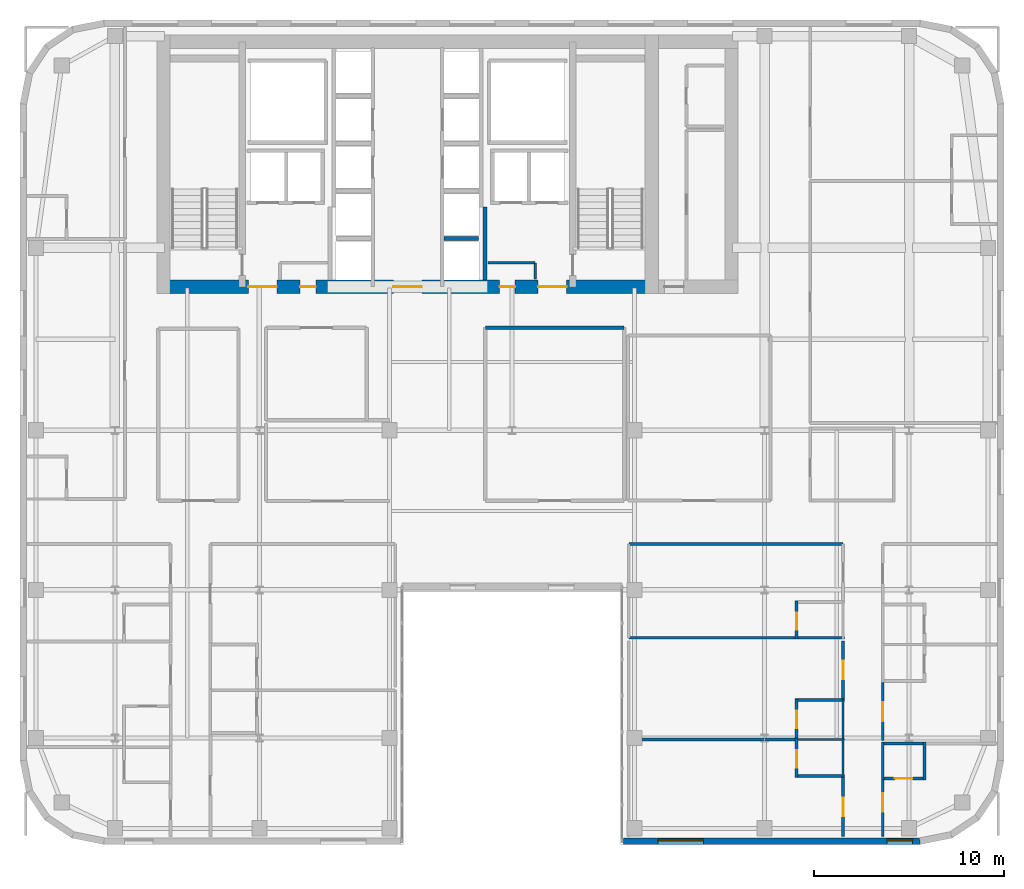
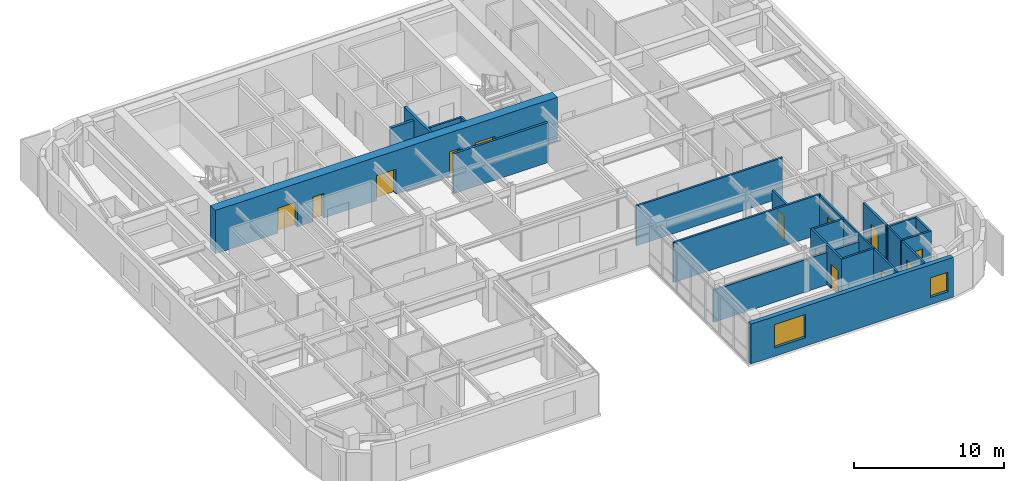
# One storey, part 9 of 14: 26 walls, 13 doors, 2 windows, 15 openings.
"""IFC4 building model written with IfcOpenShell, lengths in metres."""

from ifc_helpers import new_model, si_unit, direction, frame, frame_2d, origin, place, context, subcontext, project, spatial, rectangle, extrude, source, transform, mapped, material, layer, layer_set, type_object, type_shapes, element, fill, save


model = new_model("IFC4")

# Units and contexts
model_context = context("Model", 3, precision=1e-05, world=origin(), true_north=direction((0.0, 1.0)))
body_context = subcontext(model_context, "Body", "Model", "MODEL_VIEW")
ifc_project = project(units=[si_unit("LENGTHUNIT", "METRE"), si_unit("AREAUNIT", "SQUARE_METRE"), si_unit("VOLUMEUNIT", "CUBIC_METRE"), si_unit("PLANEANGLEUNIT", "RADIAN"), si_unit("MASSUNIT", "GRAM", prefix="KILO")], contexts=[model_context])

# Site, building, storey
site_placement = place(None, origin())
site = spatial("IfcSite", under=ifc_project, at=site_placement, CompositionType="ELEMENT")
building_placement = place(site_placement, origin())
building = spatial("IfcBuilding", under=site, at=building_placement, Name="Tolvann Quenvar Hotel", CompositionType="ELEMENT")
storey_placement = place(building_placement, frame((0.0, 0.0, 179.0)))
storey = spatial("IfcBuildingStorey", under=building, at=storey_placement, Name="L47", CompositionType="ELEMENT", Elevation=179.0)

# Wall, openings, doors
ifc_material_1 = material(Name="Concrete S65 (65 MPa)", Category="concrete")
ifc_layer_1 = layer(ifc_material_1, 0.699951171875)
ifc_layer_set_1 = layer_set([ifc_layer_1], Name="Concrete S65 (65 MPa)")
wall_type_1 = type_object("IfcWallType", Name="WALL_CORE_700", PredefinedType="SHEAR", material=ifc_layer_set_1)
wall_1_placement = place(storey_placement, frame((9.800048828125, 31.949951171875, 0.0), z_axis=(0.0, 0.0, 1.0), x_axis=(1.0, 0.0, 0.0)))
wall_1 = element("IfcWall", 1, at=wall_1_placement, inside=storey, type_object=wall_type_1, Name="Rear Core S Shear Wall (L47)", PredefinedType="SHEAR", context=body_context, shape_type="SweptSolid", body=[
    extrude(rectangle(XDim=26.39990234375, YDim=0.699951171875, at=frame_2d((13.199951171875, 0.0))), origin(), (0.0, 0.0, 1.0), 3.550048828125),
])
opening_1_placement = place(wall_1_placement, frame((6.320068359375, 0.0, 0.0), z_axis=(0.0, 0.0, 1.0), x_axis=(-1.0, 0.0, 0.0)))
opening_1 = element("IfcOpeningElement", 2, at=opening_1_placement, cuts=wall_1, Name="Opening FD-60D", PredefinedType="OPENING", context=body_context, shape_type="SweptSolid", body=[
    extrude(rectangle(XDim=1.5, YDim=2.0400390625, at=frame_2d((0.75, 1.02001953125))), frame((0.0, 0.35986328125, 0.0), z_axis=(0.0, -1.0, 0.0), x_axis=(1.0, 0.0, 0.0)), (0.0, 0.0, 1.0), 0.719970703125),
])
opening_2_placement = place(wall_1_placement, frame((13.949951171875, 0.0, 0.0), z_axis=(0.0, 0.0, 1.0), x_axis=(-1.0, 0.0, 0.0)))
opening_2 = element("IfcOpeningElement", 3, at=opening_2_placement, cuts=wall_1, Name="Opening FD-60D", PredefinedType="OPENING", context=body_context, shape_type="SweptSolid", body=[
    extrude(rectangle(XDim=1.5, YDim=2.0400390625, at=frame_2d((0.75, 1.02001953125))), frame((0.0, 0.35986328125, 0.0), z_axis=(0.0, -1.0, 0.0), x_axis=(1.0, 0.0, 0.0)), (0.0, 0.0, 1.0), 0.719970703125),
])
opening_3_placement = place(wall_1_placement, frame((21.580078125, 0.0, 0.0), z_axis=(0.0, 0.0, 1.0), x_axis=(-1.0, 0.0, 0.0)))
opening_3 = element("IfcOpeningElement", 4, at=opening_3_placement, cuts=wall_1, Name="Opening FD-60D", PredefinedType="OPENING", context=body_context, shape_type="SweptSolid", body=[
    extrude(rectangle(XDim=1.5, YDim=2.0400390625, at=frame_2d((0.75, 1.02001953125))), frame((0.0, 0.35986328125, 0.0), z_axis=(0.0, -1.0, 0.0), x_axis=(1.0, 0.0, 0.0)), (0.0, 0.0, 1.0), 0.719970703125),
])
opening_4_placement = place(wall_1_placement, frame((8.3701171875, 0.0, 0.0), z_axis=(0.0, 0.0, 1.0), x_axis=(-1.0, 0.0, 0.0)))
opening_4 = element("IfcOpeningElement", 5, at=opening_4_placement, cuts=wall_1, Name="Opening HD-02", PredefinedType="OPENING", context=body_context, shape_type="SweptSolid", body=[
    extrude(rectangle(XDim=0.820068359375, YDim=2.010009765625, at=frame_2d((0.41015625, 1.0048828125))), frame((0.0, 0.35986328125, 0.0), z_axis=(0.0, -1.0, 0.0), x_axis=(1.0, 0.0, 0.0)), (0.0, 0.0, 1.0), 0.719970703125),
])
opening_5_placement = place(wall_1_placement, frame((18.8701171875, 0.0, 0.0), z_axis=(0.0, 0.0, 1.0), x_axis=(-1.0, 0.0, 0.0)))
opening_5 = element("IfcOpeningElement", 6, at=opening_5_placement, cuts=wall_1, Name="Opening HD-02", PredefinedType="OPENING", context=body_context, shape_type="SweptSolid", body=[
    extrude(rectangle(XDim=0.820068359375, YDim=2.010009765625, at=frame_2d((0.41015625, 1.0048828125))), frame((0.0, 0.35986328125, 0.0), z_axis=(0.0, -1.0, 0.0), x_axis=(1.0, 0.0, 0.0)), (0.0, 0.0, 1.0), 0.719970703125),
])
ifc_material_2 = material(Name="Solid-core American oak acoustic fire door leaf in steel frame", Category="steel")
door_type_1 = type_object("IfcDoorType", Name="DOOR_FIRE_LOBBY_1500", OperationType="NOTDEFINED", PredefinedType="DOOR", material=ifc_material_2)
shared_shape_1 = source(origin(), body_context, "Body", "SweptSolid", [
    extrude(rectangle(XDim=1.5, YDim=2.0400390625, at=frame_2d((0.75, 1.02001953125))), frame((0.0, 0.02490234375, 0.0), z_axis=(0.0, -1.0, 0.0), x_axis=(1.0, 0.0, 0.0)), (0.0, 0.0, 1.0), 0.050048828125),
])
type_shapes(door_type_1, [shared_shape_1])
door_1_placement = place(opening_1_placement, origin())
door_1 = element("IfcDoor", 7, at=door_1_placement, inside=storey, type_object=door_type_1, Name="Core Lobby Fire Door FFW (L47)", OperationType="DOUBLE_DOOR_SINGLE_SWING", OverallHeight=2.0400390625, OverallWidth=1.5, PredefinedType="DOOR", context=body_context, shape_type="MappedRepresentation", body=[
    mapped(shared_shape_1, transform((0.0, 0.0, 0.0), x_axis=(1.0, 0.0, 0.0), y_axis=(0.0, 1.0, 0.0), z_axis=(0.0, 0.0, 1.0), scale=1.0)),
])
fill(opening_1, door_1)
door_2_placement = place(opening_2_placement, origin())
door_2 = element("IfcDoor", 8, at=door_2_placement, inside=storey, type_object=door_type_1, Name="Core Lobby Fire Door CLOB (L47)", OperationType="DOUBLE_DOOR_SINGLE_SWING", OverallHeight=2.0400390625, OverallWidth=1.5, PredefinedType="DOOR", context=body_context, shape_type="MappedRepresentation", body=[
    mapped(shared_shape_1, transform((0.0, 0.0, 0.0), x_axis=(1.0, 0.0, 0.0), y_axis=(0.0, 1.0, 0.0), z_axis=(0.0, 0.0, 1.0), scale=1.0)),
])
fill(opening_2, door_2)
door_3_placement = place(opening_3_placement, origin())
door_3 = element("IfcDoor", 9, at=door_3_placement, inside=storey, type_object=door_type_1, Name="Core Lobby Fire Door FFE (L47)", OperationType="DOUBLE_DOOR_SINGLE_SWING", OverallHeight=2.0400390625, OverallWidth=1.5, PredefinedType="DOOR", context=body_context, shape_type="MappedRepresentation", body=[
    mapped(shared_shape_1, transform((0.0, 0.0, 0.0), x_axis=(1.0, 0.0, 0.0), y_axis=(0.0, 1.0, 0.0), z_axis=(0.0, 0.0, 1.0), scale=1.0)),
])
fill(opening_3, door_3)
ifc_material_3 = material(Name="Pressed galvanised steel fire-rated door set", Category="steel")
door_type_2 = type_object("IfcDoorType", Name="DOOR_STORE_820", OperationType="NOTDEFINED", PredefinedType="DOOR", material=ifc_material_3)
shared_shape_2 = source(origin(), body_context, "Body", "SweptSolid", [
    extrude(rectangle(XDim=0.820068359375, YDim=2.010009765625, at=frame_2d((0.41015625, 1.0048828125))), frame((0.0, 0.02490234375, 0.0), z_axis=(0.0, -1.0, 0.0), x_axis=(1.0, 0.0, 0.0)), (0.0, 0.0, 1.0), 0.050048828125),
])
type_shapes(door_type_2, [shared_shape_2])
door_4_placement = place(opening_4_placement, origin())
door_4 = element("IfcDoor", 10, at=door_4_placement, inside=storey, type_object=door_type_2, Name="Core Linen Store Fire Door (L47)", OperationType="SINGLE_SWING_LEFT", OverallHeight=2.010009765625, OverallWidth=0.820068359375, PredefinedType="DOOR", context=body_context, shape_type="MappedRepresentation", body=[
    mapped(shared_shape_2, transform((0.0, 0.0, 0.0), x_axis=(1.0, 0.0, 0.0), y_axis=(0.0, 1.0, 0.0), z_axis=(0.0, 0.0, 1.0), scale=1.0)),
])
fill(opening_4, door_4)
door_5_placement = place(opening_5_placement, origin())
door_5 = element("IfcDoor", 11, at=door_5_placement, inside=storey, type_object=door_type_2, Name="Core Comms Closet Fire Door (L47)", OperationType="SINGLE_SWING_RIGHT", OverallHeight=2.010009765625, OverallWidth=0.820068359375, PredefinedType="DOOR", context=body_context, shape_type="MappedRepresentation", body=[
    mapped(shared_shape_2, transform((0.0, 0.0, 0.0), x_axis=(1.0, 0.0, 0.0), y_axis=(0.0, 1.0, 0.0), z_axis=(0.0, 0.0, 1.0), scale=1.0)),
])
fill(opening_5, door_5)

# Wall, openings, windows
ifc_material_4 = material(Name="Kiln-fired red and buff architectural clay brickwork and terracotta masonry", Category="masonry")
ifc_layer_2 = layer(ifc_material_4, 0.35009765625)
ifc_layer_set_2 = layer_set([ifc_layer_2], Name="Kiln-fired red and buff architectural clay brickwork and terracotta masonry")
wall_type_2 = type_object("IfcWallType", Name="WALL_EXT_BRICK_350", PredefinedType="SOLIDWALL", material=ifc_layer_set_2)
wall_2_placement = place(storey_placement, frame((34.375, 2.77490234375, 0.0), z_axis=(0.0, 0.0, 1.0), x_axis=(1.0, 0.0, 0.0)))
wall_2 = element("IfcWall", 12, at=wall_2_placement, inside=storey, type_object=wall_type_2, Name="Exterior Chicago Brick Wall L47-E08", PredefinedType="SOLIDWALL", context=body_context, shape_type="SweptSolid", body=[
    extrude(rectangle(XDim=15.60791015625, YDim=0.35009765625, at=frame_2d((7.803955078125, 0.0))), origin(), (0.0, 0.0, 1.0), 3.25),
])
opening_6_placement = place(wall_2_placement, frame((1.801025390625, 0.0, 0.679931640625)))
opening_6 = element("IfcOpeningElement", 13, at=opening_6_placement, cuts=wall_2, Name="Opening W-01", PredefinedType="OPENING", context=body_context, shape_type="SweptSolid", body=[
    extrude(rectangle(XDim=2.39990234375, YDim=1.89990234375, at=frame_2d((1.199951171875, 0.949951171875))), frame((0.0, 0.18505859375, 0.0), z_axis=(0.0, -1.0, 0.0), x_axis=(1.0, 0.0, 0.0)), (0.0, 0.0, 1.0), 0.3701171875),
])
opening_7_placement = place(wall_2_placement, frame((13.865966796875, 0.0, 0.580078125)))
opening_7 = element("IfcOpeningElement", 14, at=opening_7_placement, cuts=wall_2, Name="Opening W-11", PredefinedType="OPENING", context=body_context, shape_type="SweptSolid", body=[
    extrude(rectangle(XDim=1.35009765625, YDim=1.60009765625, at=frame_2d((0.675048828125, 0.800048828125))), frame((0.0, 0.18505859375, 0.0), z_axis=(0.0, -1.0, 0.0), x_axis=(1.0, 0.0, 0.0)), (0.0, 0.0, 1.0), 0.3701171875),
])
ifc_material_5 = material(Name="Thermally broken bronze-anodised aluminium frame with double low-E glazing", Category="aluminium")
window_type_1 = type_object("IfcWindowType", Name="WIN_CHI_2400x2050", PartitioningType="TRIPLE_PANEL_HORIZONTAL", PredefinedType="WINDOW", material=ifc_material_5)
shared_shape_3 = source(origin(), body_context, "Body", "SweptSolid", [
    extrude(rectangle(XDim=2.39990234375, YDim=1.89990234375, at=frame_2d((1.199951171875, 0.949951171875))), frame((0.0, 0.090087890625, 0.0), z_axis=(0.0, -1.0, 0.0), x_axis=(1.0, 0.0, 0.0)), (0.0, 0.0, 1.0), 0.06005859375),
])
type_shapes(window_type_1, [shared_shape_3])
window_1_placement = place(opening_6_placement, origin())
window_1 = element("IfcWindow", 15, at=window_1_placement, inside=storey, type_object=window_type_1, Name="Chicago Window W-01 (EW-L47-E08-W01)", OverallHeight=1.89990234375, OverallWidth=2.39990234375, PartitioningType="TRIPLE_PANEL_HORIZONTAL", PredefinedType="WINDOW", context=body_context, shape_type="MappedRepresentation", body=[
    mapped(shared_shape_3, transform((0.0, 0.0, 0.0), x_axis=(1.0, 0.0, 0.0), y_axis=(0.0, 1.0, 0.0), z_axis=(0.0, 0.0, 1.0), scale=1.0)),
])
fill(opening_6, window_1)
window_type_2 = type_object("IfcWindowType", Name="WIN_ACC_1350x1650", PartitioningType="SINGLE_PANEL", PredefinedType="WINDOW", material=ifc_material_5)
shared_shape_4 = source(origin(), body_context, "Body", "SweptSolid", [
    extrude(rectangle(XDim=1.35009765625, YDim=1.60009765625, at=frame_2d((0.675048828125, 0.800048828125))), frame((0.0, 0.090087890625, 0.0), z_axis=(0.0, -1.0, 0.0), x_axis=(1.0, 0.0, 0.0)), (0.0, 0.0, 1.0), 0.06005859375),
])
type_shapes(window_type_2, [shared_shape_4])
window_2_placement = place(opening_7_placement, origin())
window_2 = element("IfcWindow", 16, at=window_2_placement, inside=storey, type_object=window_type_2, Name="Chicago Window W-11 (EW-L47-E08-WD02)", OverallHeight=1.60009765625, OverallWidth=1.35009765625, PartitioningType="SINGLE_PANEL", PredefinedType="WINDOW", context=body_context, shape_type="MappedRepresentation", body=[
    mapped(shared_shape_4, transform((0.0, 0.0, 0.0), x_axis=(1.0, 0.0, 0.0), y_axis=(0.0, 1.0, 0.0), z_axis=(0.0, 0.0, 1.0), scale=1.0)),
])
fill(opening_7, window_2)

# Walls
ifc_material_6 = material(Name="Acoustic twin-stud fire-rated gypsum plasterboard partition")
ifc_layer_3 = layer(ifc_material_6, 0.179931640625)
ifc_layer_set_3 = layer_set([ifc_layer_3], Name="Acoustic twin-stud fire-rated gypsum plasterboard partition")
wall_type_3 = type_object("IfcWallType", Name="WALL_PART_ACOUSTIC_180", PredefinedType="PARTITIONING", material=ifc_layer_set_3)
wall_3_placement = place(storey_placement, frame((27.10009765625, 29.800048828125, 0.0), z_axis=(0.0, 0.0, 1.0), x_axis=(1.0, 0.0, 0.0)))
element("IfcWall", 17, at=wall_3_placement, inside=storey, type_object=wall_type_3, Name="Interior Partition PT-SPC-L47-MSP-C-N", PredefinedType="PARTITIONING", context=body_context, shape_type="SweptSolid", body=[
    extrude(rectangle(XDim=7.2998046875, YDim=0.179931640625, at=frame_2d((3.64990234375, 0.0))), origin(), (0.0, 0.0, 1.0), 3.25),
])
ifc_material_7 = material(Name="Moisture-resistant acoustic plumbing wall assembly")
ifc_layer_4 = layer(ifc_material_7, 0.1201171875)
ifc_layer_set_4 = layer_set([ifc_layer_4], Name="Moisture-resistant acoustic plumbing wall assembly")
wall_type_4 = type_object("IfcWallType", Name="WALL_PART_BATH_120", PredefinedType="PLUMBINGWALL", material=ifc_layer_set_4)
wall_4_placement = place(storey_placement, frame((43.409912109375, 8.1201171875, 0.0), z_axis=(0.0, 0.0, 1.0), x_axis=(1.0, 0.0, 0.0)))
element("IfcWall", 18, at=wall_4_placement, inside=storey, type_object=wall_type_4, Name="Non-Rated Plumbing Partition PT-SPC-L47-ENS-EI01-N", PredefinedType="PLUMBINGWALL", context=body_context, shape_type="SweptSolid", body=[
    extrude(rectangle(XDim=2.590087890625, YDim=0.1201171875, at=frame_2d((1.294921875, 0.0))), origin(), (0.0, 0.0, 1.0), 2.637939453125),
])
for number, where, z_axis, x_axis, name in (
    (19, (45.929931640625, 6.135009765625, 0.0), (0.0, 0.0, 1.0), (0.0, 1.0, 0.0), "Non-Rated Plumbing Partition PT-SPC-L47-ENS-EI01-E"),
    (20, (45.929931640625, 8.2099609375, 0.0), (0.0, 0.0, 1.0), (0.0, 1.0, 0.0), "Non-Rated Plumbing Partition PT-SPC-L47-ENS-EI02-E"),
):
    element("IfcWall", number, at=place(storey_placement, frame(where, z_axis=z_axis, x_axis=x_axis)), inside=storey, type_object=wall_type_4, Name=name, PredefinedType="PLUMBINGWALL", context=body_context, shape_type="SweptSolid", body=[
        extrude(rectangle(XDim=2.054931640625, YDim=0.1201171875, at=frame_2d((1.02734375, 0.0))), origin(), (0.0, 0.0, 1.0), 3.25),
    ])
wall_5_placement = place(storey_placement, frame((48.02001953125, 6.0, 0.0), z_axis=(0.0, 0.0, 1.0), x_axis=(0.0, 1.0, 0.0)))
element("IfcWall", 21, at=wall_5_placement, inside=storey, type_object=wall_type_4, Name="Non-Rated Plumbing Partition PT-SPC-L47-ENS-EO01-W", PredefinedType="PLUMBINGWALL", context=body_context, shape_type="SweptSolid", body=[
    extrude(rectangle(XDim=1.989990234375, YDim=0.1201171875, at=frame_2d((0.9951171875, 0.0))), origin(), (0.0, 0.0, 1.0), 3.25),
])

# Wall, opening, door
ifc_layer_5 = layer(ifc_material_6, 0.14990234375)
ifc_layer_set_5 = layer_set([ifc_layer_5], Name="Acoustic twin-stud fire-rated gypsum plasterboard partition")
wall_type_5 = type_object("IfcWallType", Name="WALL_PART_SUITE_150", PredefinedType="PARTITIONING", material=ifc_layer_set_5)
wall_6_placement = place(storey_placement, frame((43.47998046875, 6.135009765625, 0.0), z_axis=(0.0, 0.0, 1.0), x_axis=(0.0, 1.0, 0.0)))
wall_6 = element("IfcWall", 22, at=wall_6_placement, inside=storey, type_object=wall_type_5, Name="Interior Partition PT-SPC-L47-ENS-EI01-ENT", PredefinedType="PARTITIONING", context=body_context, shape_type="SweptSolid", body=[
    extrude(rectangle(XDim=2.054931640625, YDim=0.14990234375, at=frame_2d((1.02734375, 0.0))), origin(), (0.0, 0.0, 1.0), 3.25),
])
opening_8_placement = place(wall_6_placement, frame((0.49755859375, 0.0, 0.0)))
opening_8 = element("IfcOpeningElement", 23, at=opening_8_placement, cuts=wall_6, Name="Opening WD-01", PredefinedType="OPENING", context=body_context, shape_type="SweptSolid", body=[
    extrude(rectangle(XDim=0.919921875, YDim=2.010009765625, at=frame_2d((0.4599609375, 1.0048828125))), frame((0.0, 0.0849609375, 0.0), z_axis=(0.0, -1.0, 0.0), x_axis=(1.0, 0.0, 0.0)), (0.0, 0.0, 1.0), 0.169921875),
])
door_type_3 = type_object("IfcDoorType", Name="DOOR_WC_920", OperationType="NOTDEFINED", PredefinedType="DOOR", material=ifc_material_2)
shared_shape_5 = source(origin(), body_context, "Body", "SweptSolid", [
    extrude(rectangle(XDim=0.919921875, YDim=2.010009765625, at=frame_2d((0.4599609375, 1.0048828125))), frame((0.0, 0.02490234375, 0.0), z_axis=(0.0, -1.0, 0.0), x_axis=(1.0, 0.0, 0.0)), (0.0, 0.0, 1.0), 0.050048828125),
])
type_shapes(door_type_3, [shared_shape_5])
door_6_placement = place(opening_8_placement, origin())
door_6 = element("IfcDoor", 24, at=door_6_placement, inside=storey, type_object=door_type_3, Name="Interior Door DOOR-SPC-L47-ENS-EI01", OperationType="SINGLE_SWING_RIGHT", OverallHeight=2.010009765625, OverallWidth=0.919921875, PredefinedType="DOOR", context=body_context, shape_type="MappedRepresentation", body=[
    mapped(shared_shape_5, transform((0.0, 0.0, 0.0), x_axis=(1.0, 0.0, 0.0), y_axis=(0.0, 1.0, 0.0), z_axis=(0.0, 0.0, 1.0), scale=1.0)),
])
fill(opening_8, door_6)

# Wall
wall_7_placement = place(storey_placement, frame((43.409912109375, 6.205078125, 0.0), z_axis=(0.0, 0.0, 1.0), x_axis=(1.0, 0.0, 0.0)))
element("IfcWall", 25, at=wall_7_placement, inside=storey, type_object=wall_type_5, Name="Interior Partition PT-SPC-L47-ENS-EI01-S", PredefinedType="PARTITIONING", context=body_context, shape_type="SweptSolid", body=[
    extrude(rectangle(XDim=2.590087890625, YDim=0.14990234375, at=frame_2d((1.294921875, 0.0))), origin(), (0.0, 0.0, 1.0), 3.25),
])

# Wall, opening, door
wall_8_placement = place(storey_placement, frame((43.47998046875, 8.2099609375, 0.0), z_axis=(0.0, 0.0, 1.0), x_axis=(0.0, 1.0, 0.0)))
wall_8 = element("IfcWall", 26, at=wall_8_placement, inside=storey, type_object=wall_type_5, Name="Interior Partition PT-SPC-L47-ENS-EI02-ENT", PredefinedType="PARTITIONING", context=body_context, shape_type="SweptSolid", body=[
    extrude(rectangle(XDim=2.054931640625, YDim=0.14990234375, at=frame_2d((1.02734375, 0.0))), origin(), (0.0, 0.0, 1.0), 3.25),
])
opening_9_placement = place(wall_8_placement, frame((0.49755859375, 0.0, 0.0)))
opening_9 = element("IfcOpeningElement", 27, at=opening_9_placement, cuts=wall_8, Name="Opening WD-01", PredefinedType="OPENING", context=body_context, shape_type="SweptSolid", body=[
    extrude(rectangle(XDim=0.919921875, YDim=2.010009765625, at=frame_2d((0.4599609375, 1.0048828125))), frame((0.0, 0.0849609375, 0.0), z_axis=(0.0, -1.0, 0.0), x_axis=(1.0, 0.0, 0.0)), (0.0, 0.0, 1.0), 0.169921875),
])
door_7_placement = place(opening_9_placement, origin())
door_7 = element("IfcDoor", 28, at=door_7_placement, inside=storey, type_object=door_type_3, Name="Interior Door DOOR-SPC-L47-ENS-EI02", OperationType="SINGLE_SWING_LEFT", OverallHeight=2.010009765625, OverallWidth=0.919921875, PredefinedType="DOOR", context=body_context, shape_type="MappedRepresentation", body=[
    mapped(shared_shape_5, transform((0.0, 0.0, 0.0), x_axis=(1.0, 0.0, 0.0), y_axis=(0.0, 1.0, 0.0), z_axis=(0.0, 0.0, 1.0), scale=1.0)),
])
fill(opening_9, door_7)

# Wall
wall_9_placement = place(storey_placement, frame((43.409912109375, 10.195068359375, 0.0), z_axis=(0.0, 0.0, 1.0), x_axis=(1.0, 0.0, 0.0)))
element("IfcWall", 29, at=wall_9_placement, inside=storey, type_object=wall_type_5, Name="Interior Partition PT-SPC-L47-ENS-EI02-N", PredefinedType="PARTITIONING", context=body_context, shape_type="SweptSolid", body=[
    extrude(rectangle(XDim=2.590087890625, YDim=0.14990234375, at=frame_2d((1.294921875, 0.0))), origin(), (0.0, 0.0, 1.0), 3.25),
])

# Wall, opening, door
wall_10_placement = place(storey_placement, frame((43.47998046875, 13.409912109375, 0.0), z_axis=(0.0, 0.0, 1.0), x_axis=(0.0, 1.0, 0.0)))
wall_10 = element("IfcWall", 30, at=wall_10_placement, inside=storey, type_object=wall_type_5, Name="Interior Partition PT-SPC-L47-ENS-EI03-ENT", PredefinedType="PARTITIONING", context=body_context, shape_type="SweptSolid", body=[
    extrude(rectangle(XDim=2.01708984375, YDim=0.14990234375, at=frame_2d((1.008544921875, 0.0))), origin(), (0.0, 0.0, 1.0), 3.25),
])
opening_10_placement = place(wall_10_placement, frame((0.478515625, 0.0, 0.0)))
opening_10 = element("IfcOpeningElement", 31, at=opening_10_placement, cuts=wall_10, Name="Opening WD-01", PredefinedType="OPENING", context=body_context, shape_type="SweptSolid", body=[
    extrude(rectangle(XDim=0.919921875, YDim=2.010009765625, at=frame_2d((0.4599609375, 1.0048828125))), frame((0.0, 0.0849609375, 0.0), z_axis=(0.0, -1.0, 0.0), x_axis=(1.0, 0.0, 0.0)), (0.0, 0.0, 1.0), 0.169921875),
])
door_8_placement = place(opening_10_placement, origin())
door_8 = element("IfcDoor", 32, at=door_8_placement, inside=storey, type_object=door_type_3, Name="Interior Door DOOR-SPC-L47-ENS-EI03", OperationType="SINGLE_SWING_RIGHT", OverallHeight=2.010009765625, OverallWidth=0.919921875, PredefinedType="DOOR", context=body_context, shape_type="MappedRepresentation", body=[
    mapped(shared_shape_5, transform((0.0, 0.0, 0.0), x_axis=(1.0, 0.0, 0.0), y_axis=(0.0, 1.0, 0.0), z_axis=(0.0, 0.0, 1.0), scale=1.0)),
])
fill(opening_10, door_8)

# Walls
wall_11_placement = place(storey_placement, frame((34.64990234375, 13.47998046875, 0.0), z_axis=(0.0, 0.0, 1.0), x_axis=(1.0, 0.0, 0.0)))
element("IfcWall", 33, at=wall_11_placement, inside=storey, type_object=wall_type_5, Name="Interior Partition PT-SPC-L47-ENS-EI03-S", PredefinedType="PARTITIONING", context=body_context, shape_type="SweptSolid", body=[
    extrude(rectangle(XDim=11.35009765625, YDim=0.14990234375, at=frame_2d((5.675048828125, 0.0))), origin(), (0.0, 0.0, 1.0), 3.25),
])
wall_12_placement = place(storey_placement, frame((50.208984375, 6.0, 0.0), z_axis=(0.0, 0.0, 1.0), x_axis=(0.0, 1.0, 0.0)))
element("IfcWall", 34, at=wall_12_placement, inside=storey, type_object=wall_type_5, Name="Interior Partition PT-SPC-L47-ENS-EO01-ENT", PredefinedType="PARTITIONING", context=body_context, shape_type="SweptSolid", body=[
    extrude(rectangle(XDim=1.989990234375, YDim=0.14990234375, at=frame_2d((0.9951171875, 0.0))), origin(), (0.0, 0.0, 1.0), 3.25),
])

# Wall, opening, door
wall_13_placement = place(storey_placement, frame((47.949951171875, 6.070068359375, 0.0), z_axis=(0.0, 0.0, 1.0), x_axis=(1.0, 0.0, 0.0)))
wall_13 = element("IfcWall", 35, at=wall_13_placement, inside=storey, type_object=wall_type_5, Name="Interior Partition PT-SPC-L47-ENS-EO01-S", PredefinedType="PARTITIONING", context=body_context, shape_type="SweptSolid", body=[
    extrude(rectangle(XDim=2.3291015625, YDim=0.14990234375, at=frame_2d((1.16455078125, 0.0))), origin(), (0.0, 0.0, 1.0), 3.25),
])
opening_11_placement = place(wall_13_placement, frame((0.70458984375, 0.0, 0.0)))
opening_11 = element("IfcOpeningElement", 36, at=opening_11_placement, cuts=wall_13, Name="Opening WD-01", PredefinedType="OPENING", context=body_context, shape_type="SweptSolid", body=[
    extrude(rectangle(XDim=0.919921875, YDim=2.010009765625, at=frame_2d((0.4599609375, 1.0048828125))), frame((0.0, 0.0849609375, 0.0), z_axis=(0.0, -1.0, 0.0), x_axis=(1.0, 0.0, 0.0)), (0.0, 0.0, 1.0), 0.169921875),
])
door_9_placement = place(opening_11_placement, origin())
door_9 = element("IfcDoor", 37, at=door_9_placement, inside=storey, type_object=door_type_3, Name="Interior Door DOOR-SPC-L47-ENS-EO01", OperationType="SINGLE_SWING_LEFT", OverallHeight=2.010009765625, OverallWidth=0.919921875, PredefinedType="DOOR", context=body_context, shape_type="MappedRepresentation", body=[
    mapped(shared_shape_5, transform((0.0, 0.0, 0.0), x_axis=(1.0, 0.0, 0.0), y_axis=(0.0, 1.0, 0.0), z_axis=(0.0, 0.0, 1.0), scale=1.0)),
])
fill(opening_11, door_9)

# Walls
wall_14_placement = place(storey_placement, frame((47.949951171875, 7.919921875, 0.0), z_axis=(0.0, 0.0, 1.0), x_axis=(1.0, 0.0, 0.0)))
element("IfcWall", 38, at=wall_14_placement, inside=storey, type_object=wall_type_5, Name="Interior Partition PT-SPC-L47-ENS-EO01-N", PredefinedType="PARTITIONING", context=body_context, shape_type="SweptSolid", body=[
    extrude(rectangle(XDim=2.3291015625, YDim=0.14990234375, at=frame_2d((1.16455078125, 0.0))), origin(), (0.0, 0.0, 1.0), 3.25),
])
wall_15_placement = place(storey_placement, frame((27.235107421875, 33.219970703125, 0.0), z_axis=(0.0, 0.0, 1.0), x_axis=(1.0, 0.0, 0.0)))
element("IfcWall", 39, at=wall_15_placement, inside=storey, type_object=wall_type_5, Name="Interior Partition PT-SPC-L47-CSE-2-N", PredefinedType="PARTITIONING", context=body_context, shape_type="SweptSolid", body=[
    extrude(rectangle(XDim=2.48486328125, YDim=0.14990234375, at=frame_2d((1.242431640625, 0.0))), origin(), (0.0, 0.0, 1.0), 3.25),
])
wall_16_placement = place(storey_placement, frame((29.719970703125, 32.35498046875, 0.0), z_axis=(0.0, 0.0, 1.0), x_axis=(0.0, 1.0, 0.0)))
element("IfcWall", 40, at=wall_16_placement, inside=storey, type_object=wall_type_5, Name="Interior Partition PT-SPC-L47-CSE-2-E", PredefinedType="PARTITIONING", context=body_context, shape_type="SweptSolid", body=[
    extrude(rectangle(XDim=0.864990234375, YDim=0.14990234375, at=frame_2d((0.4326171875, 0.0))), origin(), (0.0, 0.0, 1.0), 3.25),
])

# Wall, opening, door
wall_17_placement = place(storey_placement, frame((45.929931640625, 3.0048828125, 0.0), z_axis=(0.0, 0.0, 1.0), x_axis=(0.0, 1.0, 0.0)))
wall_17 = element("IfcWall", 41, at=wall_17_placement, inside=storey, type_object=wall_type_5, Name="Interior Partition PT-SPC-L47-RM-EI01-ENT", PredefinedType="PARTITIONING", context=body_context, shape_type="SweptSolid", body=[
    extrude(rectangle(XDim=3.1201171875, YDim=0.14990234375, at=frame_2d((1.56005859375, 0.0))), origin(), (0.0, 0.0, 1.0), 3.25),
])
opening_12_placement = place(wall_17_placement, frame((1.077392578125, 0.0, 0.0)))
opening_12 = element("IfcOpeningElement", 42, at=opening_12_placement, cuts=wall_17, Name="Opening SD-01", PredefinedType="OPENING", context=body_context, shape_type="SweptSolid", body=[
    extrude(rectangle(XDim=0.97998046875, YDim=2.1201171875, at=frame_2d((0.489990234375, 1.06005859375))), frame((0.0, 0.0849609375, 0.0), z_axis=(0.0, -1.0, 0.0), x_axis=(1.0, 0.0, 0.0)), (0.0, 0.0, 1.0), 0.169921875),
])
door_type_4 = type_object("IfcDoorType", Name="DOOR_SUITE_980", OperationType="NOTDEFINED", PredefinedType="DOOR", material=ifc_material_2)
shared_shape_6 = source(origin(), body_context, "Body", "SweptSolid", [
    extrude(rectangle(XDim=0.97998046875, YDim=2.1201171875, at=frame_2d((0.489990234375, 1.06005859375))), frame((0.0, 0.02490234375, 0.0), z_axis=(0.0, -1.0, 0.0), x_axis=(1.0, 0.0, 0.0)), (0.0, 0.0, 1.0), 0.050048828125),
])
type_shapes(door_type_4, [shared_shape_6])
door_10_placement = place(opening_12_placement, origin())
door_10 = element("IfcDoor", 43, at=door_10_placement, inside=storey, type_object=door_type_4, Name="Interior Door DOOR-SPC-L47-RM-EI01", OperationType="SINGLE_SWING_LEFT", OverallHeight=2.1201171875, OverallWidth=0.97998046875, PredefinedType="DOOR", context=body_context, shape_type="MappedRepresentation", body=[
    mapped(shared_shape_6, transform((0.0, 0.0, 0.0), x_axis=(1.0, 0.0, 0.0), y_axis=(0.0, 1.0, 0.0), z_axis=(0.0, 0.0, 1.0), scale=1.0)),
])
fill(opening_12, door_10)

# Wall
wall_18_placement = place(storey_placement, frame((34.64990234375, 8.1201171875, 0.0), z_axis=(0.0, 0.0, 1.0), x_axis=(1.0, 0.0, 0.0)))
element("IfcWall", 44, at=wall_18_placement, inside=storey, type_object=wall_type_5, Name="Interior Partition PT-SPC-L47-RM-EI01-E5", PredefinedType="PARTITIONING", context=body_context, shape_type="SweptSolid", body=[
    extrude(rectangle(XDim=8.81005859375, YDim=0.14990234375, at=frame_2d((4.405029296875, 0.0))), origin(), (0.0, 0.0, 1.0), 2.637939453125),
])

# Wall, opening, door
wall_19_placement = place(storey_placement, frame((45.929931640625, 10.27490234375, 0.0), z_axis=(0.0, 0.0, 1.0), x_axis=(0.0, 1.0, 0.0)))
wall_19 = element("IfcWall", 45, at=wall_19_placement, inside=storey, type_object=wall_type_5, Name="Interior Partition PT-SPC-L47-RM-EI02-ENT", PredefinedType="PARTITIONING", context=body_context, shape_type="SweptSolid", body=[
    extrude(rectangle(XDim=3.045166015625, YDim=0.14990234375, at=frame_2d((1.5224609375, 0.0))), origin(), (0.0, 0.0, 1.0), 3.25),
])
opening_13_placement = place(wall_19_placement, frame((1.012451171875, 0.0, 0.0)))
opening_13 = element("IfcOpeningElement", 46, at=opening_13_placement, cuts=wall_19, Name="Opening SD-01", PredefinedType="OPENING", context=body_context, shape_type="SweptSolid", body=[
    extrude(rectangle(XDim=0.97998046875, YDim=2.1201171875, at=frame_2d((0.489990234375, 1.06005859375))), frame((0.0, 0.0849609375, 0.0), z_axis=(0.0, -1.0, 0.0), x_axis=(1.0, 0.0, 0.0)), (0.0, 0.0, 1.0), 0.169921875),
])
door_11_placement = place(opening_13_placement, origin())
door_11 = element("IfcDoor", 47, at=door_11_placement, inside=storey, type_object=door_type_4, Name="Interior Door DOOR-SPC-L47-RM-EI02", OperationType="SINGLE_SWING_RIGHT", OverallHeight=2.1201171875, OverallWidth=0.97998046875, PredefinedType="DOOR", context=body_context, shape_type="MappedRepresentation", body=[
    mapped(shared_shape_6, transform((0.0, 0.0, 0.0), x_axis=(1.0, 0.0, 0.0), y_axis=(0.0, 1.0, 0.0), z_axis=(0.0, 0.0, 1.0), scale=1.0)),
])
fill(opening_13, door_11)

# Wall
wall_20_placement = place(storey_placement, frame((34.64990234375, 18.419921875, 0.0), z_axis=(0.0, 0.0, 1.0), x_axis=(1.0, 0.0, 0.0)))
element("IfcWall", 48, at=wall_20_placement, inside=storey, type_object=wall_type_5, Name="Interior Partition PT-SPC-L47-RM-EI03-E5", PredefinedType="PARTITIONING", context=body_context, shape_type="SweptSolid", body=[
    extrude(rectangle(XDim=11.280029296875, YDim=0.14990234375, at=frame_2d((5.64013671875, 0.0))), origin(), (0.0, 0.0, 1.0), 3.25),
])

# Wall, opening, door
wall_21_placement = place(storey_placement, frame((48.02001953125, 3.0048828125, 0.0), z_axis=(0.0, 0.0, 1.0), x_axis=(0.0, 1.0, 0.0)))
wall_21 = element("IfcWall", 49, at=wall_21_placement, inside=storey, type_object=wall_type_5, Name="Interior Partition PT-SPC-L47-RM-EO01-ENT", PredefinedType="PARTITIONING", context=body_context, shape_type="SweptSolid", body=[
    extrude(rectangle(XDim=2.985107421875, YDim=0.14990234375, at=frame_2d((1.49267578125, 0.0))), origin(), (0.0, 0.0, 1.0), 3.25),
])
opening_14_placement = place(wall_21_placement, frame((1.31005859375, 0.0, 0.0)))
opening_14 = element("IfcOpeningElement", 50, at=opening_14_placement, cuts=wall_21, Name="Opening SD-01", PredefinedType="OPENING", context=body_context, shape_type="SweptSolid", body=[
    extrude(rectangle(XDim=0.97998046875, YDim=2.1201171875, at=frame_2d((0.489990234375, 1.06005859375))), frame((0.0, 0.0849609375, 0.0), z_axis=(0.0, -1.0, 0.0), x_axis=(1.0, 0.0, 0.0)), (0.0, 0.0, 1.0), 0.169921875),
])
door_12_placement = place(opening_14_placement, origin())
door_12 = element("IfcDoor", 51, at=door_12_placement, inside=storey, type_object=door_type_4, Name="Interior Door DOOR-SPC-L47-RM-EO01", OperationType="SINGLE_SWING_RIGHT", OverallHeight=2.1201171875, OverallWidth=0.97998046875, PredefinedType="DOOR", context=body_context, shape_type="MappedRepresentation", body=[
    mapped(shared_shape_6, transform((0.0, 0.0, 0.0), x_axis=(1.0, 0.0, 0.0), y_axis=(0.0, 1.0, 0.0), z_axis=(0.0, 0.0, 1.0), scale=1.0)),
])
fill(opening_14, door_12)

wall_22_placement = place(storey_placement, frame((48.02001953125, 8.080078125, 0.0), z_axis=(0.0, 0.0, 1.0), x_axis=(0.0, 1.0, 0.0)))
wall_22 = element("IfcWall", 52, at=wall_22_placement, inside=storey, type_object=wall_type_5, Name="Interior Partition PT-SPC-L47-RM-EO02-ENT", PredefinedType="PARTITIONING", context=body_context, shape_type="SweptSolid", body=[
    extrude(rectangle(XDim=3.044921875, YDim=0.14990234375, at=frame_2d((1.5224609375, 0.0))), origin(), (0.0, 0.0, 1.0), 3.25),
])
opening_15_placement = place(wall_22_placement, frame((1.012451171875, 0.0, 0.0)))
opening_15 = element("IfcOpeningElement", 53, at=opening_15_placement, cuts=wall_22, Name="Opening SD-01", PredefinedType="OPENING", context=body_context, shape_type="SweptSolid", body=[
    extrude(rectangle(XDim=0.97998046875, YDim=2.1201171875, at=frame_2d((0.489990234375, 1.06005859375))), frame((0.0, 0.0849609375, 0.0), z_axis=(0.0, -1.0, 0.0), x_axis=(1.0, 0.0, 0.0)), (0.0, 0.0, 1.0), 0.169921875),
])
door_13_placement = place(opening_15_placement, origin())
door_13 = element("IfcDoor", 54, at=door_13_placement, inside=storey, type_object=door_type_4, Name="Interior Door DOOR-SPC-L47-RM-EO02", OperationType="SINGLE_SWING_LEFT", OverallHeight=2.1201171875, OverallWidth=0.97998046875, PredefinedType="DOOR", context=body_context, shape_type="MappedRepresentation", body=[
    mapped(shared_shape_6, transform((0.0, 0.0, 0.0), x_axis=(1.0, 0.0, 0.0), y_axis=(0.0, 1.0, 0.0), z_axis=(0.0, 0.0, 1.0), scale=1.0)),
])
fill(opening_15, door_13)

# Walls
ifc_material_8 = material(Name="Concrete N40 (40 MPa)", Category="concrete")
ifc_layer_6 = layer(ifc_material_8, 0.199951171875)
ifc_layer_set_6 = layer_set([ifc_layer_6], Name="Concrete N40 (40 MPa)")
wall_type_6 = type_object("IfcWallType", Name="WALL_SHAFT_200", PredefinedType="SOLIDWALL", material=ifc_layer_set_6)
wall_23_placement = place(storey_placement, frame((27.080078125, 32.303955078125, 0.0), z_axis=(0.0, 0.0, 1.0), x_axis=(0.0, 1.0, 0.0)))
element("IfcWall", 55, at=wall_23_placement, inside=storey, type_object=wall_type_6, Name="Firefighting Lobby E Inner Fire Wall (L47)", PredefinedType="SOLIDWALL", context=body_context, shape_type="SweptSolid", body=[
    extrude(rectangle(XDim=3.845947265625, YDim=0.199951171875, at=frame_2d((1.9228515625, 0.0))), origin(), (0.0, 0.0, 1.0), 3.25),
])
wall_24_placement = place(storey_placement, frame((24.929931640625, 34.5, 0.0), z_axis=(0.0, 0.0, 1.0), x_axis=(1.0, 0.0, 0.0)))
element("IfcWall", 56, at=wall_24_placement, inside=storey, type_object=wall_type_6, Name="Lift Bank W24.9C1 Divider Wall 1 (L47)", PredefinedType="SOLIDWALL", context=body_context, shape_type="SweptSolid", body=[
    extrude(rectangle(XDim=1.800048828125, YDim=0.199951171875, at=frame_2d((0.89990234375, 0.0))), origin(), (0.0, 0.0, 1.0), 3.25),
])

save(model, "model.ifc")
